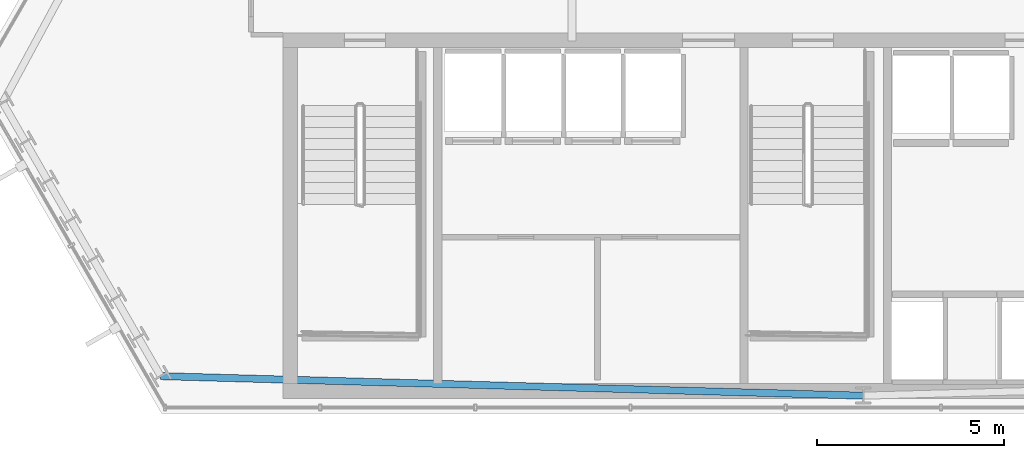
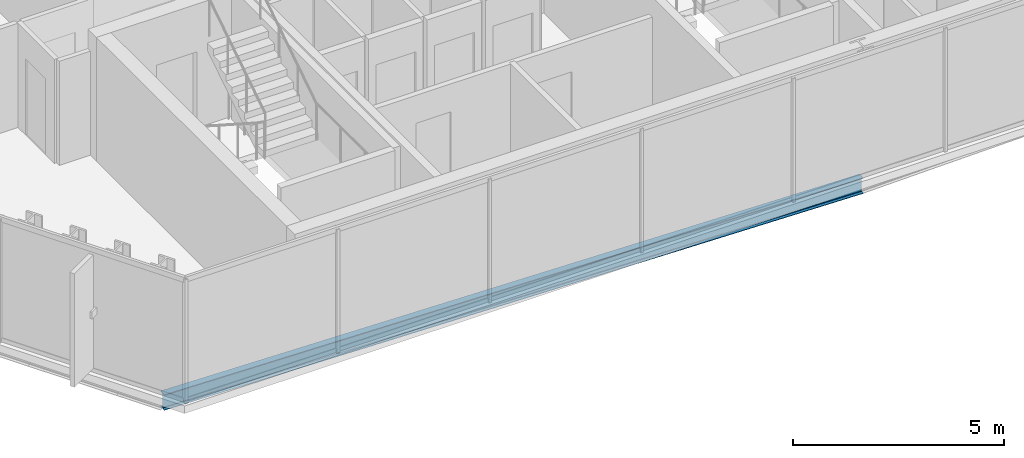
# One storey, part 4 of 35: 1 beam.
"""IFC4 building model written with IfcOpenShell, lengths in metres."""

from ifc_helpers import new_model, si_unit, direction, frame, origin, origin_2d, place, context, subcontext, project, spatial, i_section, extrude, material, material_profile, profile_set, type_object, element, save


model = new_model("IFC4")

# Units and contexts
model_context = context("Model", 3, precision=1e-05, world=origin(), true_north=direction((0.0, 1.0)))
body_context = subcontext(model_context, "Body", "Model", "MODEL_VIEW")
ifc_project = project(units=[si_unit("LENGTHUNIT", "METRE"), si_unit("AREAUNIT", "SQUARE_METRE"), si_unit("VOLUMEUNIT", "CUBIC_METRE"), si_unit("PLANEANGLEUNIT", "RADIAN"), si_unit("MASSUNIT", "GRAM", prefix="KILO")], contexts=[model_context])

# Site, building, storey
site_placement = place(None, origin())
site = spatial("IfcSite", under=ifc_project, at=site_placement, CompositionType="ELEMENT")
building_placement = place(site_placement, origin())
building = spatial("IfcBuilding", under=site, at=building_placement, Name="Ndaravel Arena Tower", CompositionType="ELEMENT")
storey_placement = place(building_placement, frame((0.0, 0.0, 176.39990234375)))
storey = spatial("IfcBuildingStorey", under=building, at=storey_placement, Name="L42", CompositionType="ELEMENT", Elevation=176.39990234375)

# Beam
ifc_material = material(Name="Steel S355", Category="steel")
ifc_material_profile = material_profile(ifc_material, i_section(OverallWidth=0.18994140625, OverallDepth=0.449951171875, WebThickness=0.009521484375, FlangeThickness=0.0146484375, FilletRadius=0.02099609375, at=origin_2d()), Name="IPE 450")
ifc_profile_set = profile_set([ifc_material_profile], Name="Steel S355")
beam_type = type_object("IfcBeamType", Name="BM-SPAN-IPE450", PredefinedType="SPANDREL", material=ifc_profile_set)
beam_placement = place(storey_placement, frame((23.17919921875, 6.00341796875, -0.44482421875), z_axis=(0.999613480309, -0.027800898972, 0.0), x_axis=(0.027800898972, 0.999613480309, 0.0)))
element("IfcBeam", 1, at=beam_placement, inside=storey, type_object=beam_type, Name="L42 Perimeter Spandrel Beam SP-27", PredefinedType="SPANDREL", context=body_context, shape_type="SweptSolid", body=[
    extrude(i_section(OverallWidth=0.18994140625, OverallDepth=0.449951171875, WebThickness=0.009521484375, FlangeThickness=0.0146484375, FilletRadius=0.02099609375, at=origin_2d()), origin(), (0.0, 0.0, 1.0), 18.828125),
])

save(model, "model.ifc")
